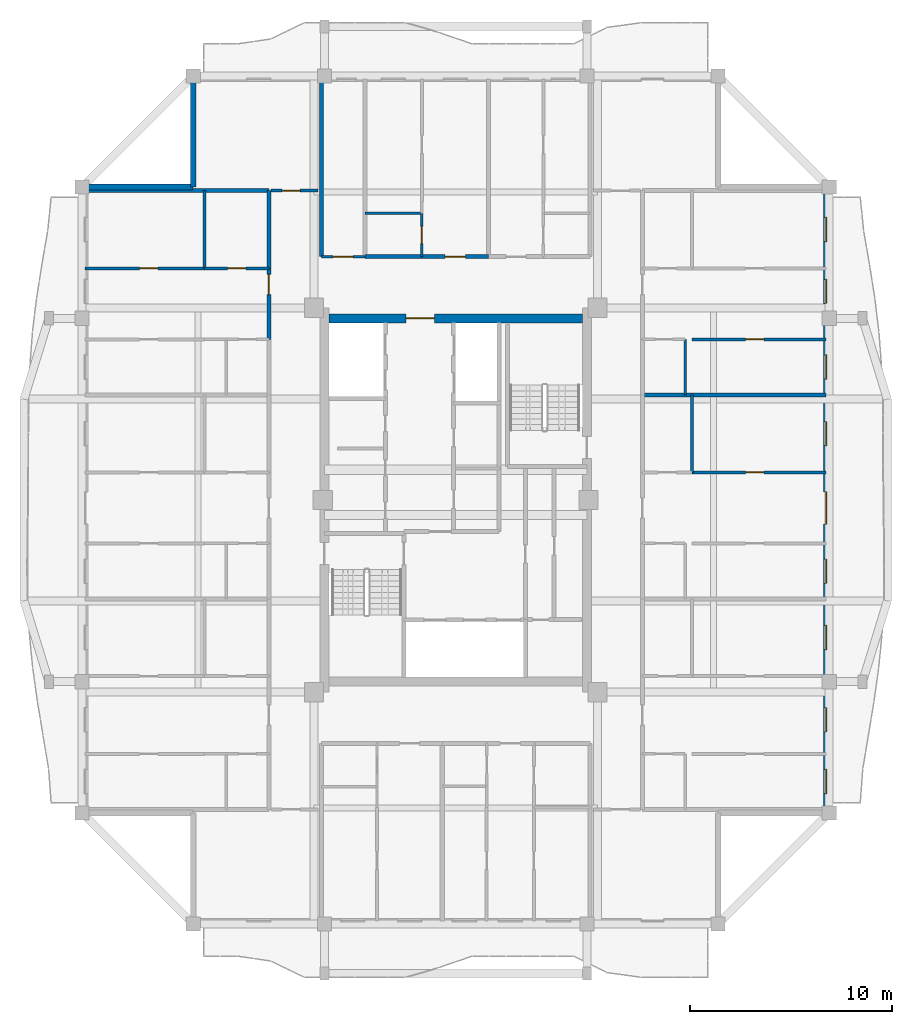
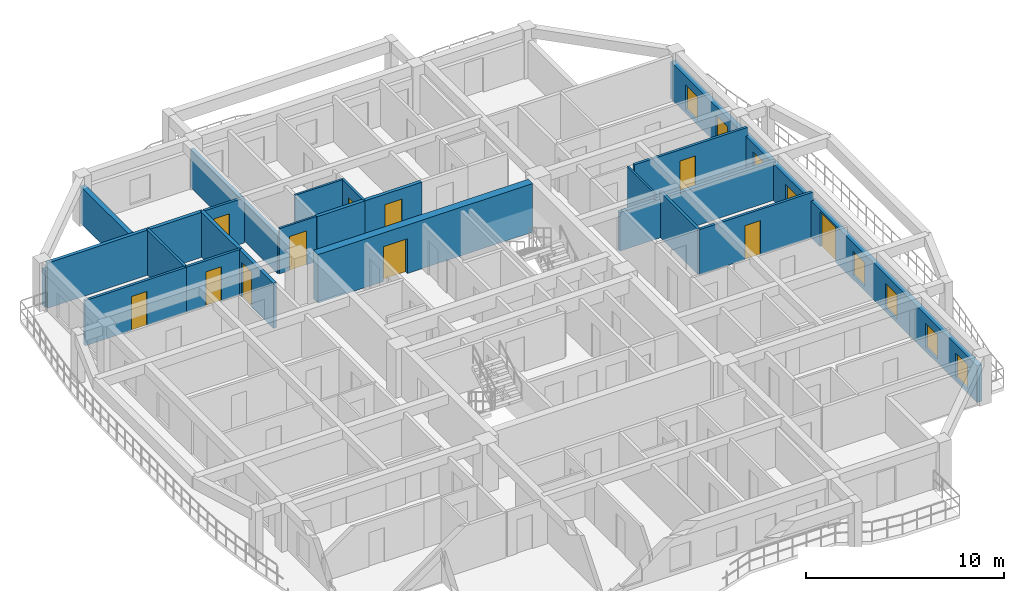
# One storey, part 6 of 14: 22 walls, 11 doors, 8 windows, 19 openings.
"""IFC4 building model written with IfcOpenShell, lengths in metres."""

from ifc_helpers import new_model, si_unit, direction, frame, frame_2d, origin, place, context, subcontext, project, spatial, rectangle, extrude, source, transform, mapped, material, layer, layer_set, type_object, element, fill, save


model = new_model("IFC4")

# Units and contexts
model_context = context("Model", 3, precision=1e-05, world=origin(), true_north=direction((0.0, 1.0)))
body_context = subcontext(model_context, "Body", "Model", "MODEL_VIEW")
ifc_project = project(units=[si_unit("LENGTHUNIT", "METRE"), si_unit("AREAUNIT", "SQUARE_METRE"), si_unit("VOLUMEUNIT", "CUBIC_METRE"), si_unit("PLANEANGLEUNIT", "RADIAN"), si_unit("MASSUNIT", "GRAM", prefix="KILO")], contexts=[model_context])

# Site, building, storey
site_placement = place(None, origin())
site = spatial("IfcSite", under=ifc_project, at=site_placement, CompositionType="ELEMENT")
building_placement = place(site_placement, origin())
building = spatial("IfcBuilding", under=site, at=building_placement, Name="Saelheon Loggia Tower", CompositionType="ELEMENT")
storey_placement = place(building_placement, frame((0.0, 0.0, 213.300048828125)))
storey = spatial("IfcBuildingStorey", under=building, at=storey_placement, Name="L66", CompositionType="ELEMENT", Elevation=213.300048828125)

# Wall, opening, door
ifc_material_1 = material(Name="Concrete C45/55", Category="concrete")
ifc_layer_1 = layer(ifc_material_1, 0.449951171875)
ifc_layer_set_1 = layer_set([ifc_layer_1], Name="Concrete C45/55")
wall_type_1 = type_object("IfcWallType", Name="Wall_CoreShear_450", PredefinedType="SHEAR", material=ifc_layer_set_1)
wall_1_placement = place(storey_placement, frame((31.72509765625, 36.0, 0.0), z_axis=(0.0, 0.0, 1.0), x_axis=(1.0, 0.0, 0.0)))
wall_1 = element("IfcWall", 1, at=wall_1_placement, inside=storey, type_object=wall_type_1, Name="L66 Core Shear Wall North", PredefinedType="SHEAR", context=body_context, shape_type="SweptSolid", body=[
    extrude(rectangle(XDim=12.5498046875, YDim=0.449951171875, at=frame_2d((6.27490234375, 0.0))), origin(), (0.0, 0.0, 1.0), 3.0),
])
opening_1_placement = place(wall_1_placement, frame((5.224853515625, 0.0, 0.0), z_axis=(0.0, 0.0, 1.0), x_axis=(-1.0, 0.0, 0.0)))
opening_1 = element("IfcOpeningElement", 2, at=opening_1_placement, cuts=wall_1, Name="Opening D-FD2L", PredefinedType="OPENING", context=body_context, shape_type="SweptSolid", body=[
    extrude(rectangle(XDim=1.39990234375, YDim=2.14990234375, at=frame_2d((0.699951171875, 1.074951171875))), frame((0.0, 0.237060546875, 0.0), z_axis=(0.0, -1.0, 0.0), x_axis=(1.0, 0.0, 0.0)), (0.0, 0.0, 1.0), 0.473876953125),
])
ifc_material_2 = material(Name="Galvanised Steel Glazed Lobby Fire Door", Category="steel")
door_type_1 = type_object("IfcDoorType", Name="Door_Fire_FD60_1400", OperationType="NOTDEFINED", PredefinedType="DOOR", material=ifc_material_2)
shared_shape_1 = source(origin(), body_context, "Body", "SweptSolid", [
    extrude(rectangle(XDim=1.39990234375, YDim=2.14990234375, at=frame_2d((0.699951171875, 1.074951171875))), frame((0.0, 0.02490234375, 0.0), z_axis=(0.0, -1.0, 0.0), x_axis=(1.0, 0.0, 0.0)), (0.0, 0.0, 1.0), 0.050048828125),
])
door_1_placement = place(opening_1_placement, origin())
door_1 = element("IfcDoor", 3, at=door_1_placement, inside=storey, type_object=door_type_1, Name="L66 Passenger Lift Lobby Main Door", OperationType="SINGLE_SWING_RIGHT", OverallHeight=2.14990234375, OverallWidth=1.39990234375, PredefinedType="DOOR", context=body_context, shape_type="MappedRepresentation", body=[
    mapped(shared_shape_1, transform((0.0, 0.0, 0.0), scale=1.0)),
])
fill(opening_1, door_1)

# Wall, openings, windows, door
ifc_material_3 = material(Name="Architectural Precast Concrete C40/50", Category="concrete")
ifc_layer_2 = layer(ifc_material_3, 0.280029296875)
ifc_layer_set_2 = layer_set([ifc_layer_2], Name="Architectural Precast Concrete C40/50")
wall_type_2 = type_object("IfcWallType", Name="Wall_Ext_Loggia_280", PredefinedType="SOLIDWALL", material=ifc_layer_set_2)
wall_2_placement = place(storey_placement, frame((56.360107421875, 11.5, 0.0), z_axis=(0.0, 0.0, 1.0), x_axis=(0.0, 1.0, 0.0)))
wall_2 = element("IfcWall", 4, at=wall_2_placement, inside=storey, type_object=wall_type_2, Name="L66 East Loggia Inner Wall", PredefinedType="SOLIDWALL", context=body_context, shape_type="SweptSolid", body=[
    extrude(rectangle(XDim=31.0, YDim=0.280029296875, at=frame_2d((15.5, 0.0))), origin(), (0.0, 0.0, 1.0), 2.280029296875),
])
opening_2_placement = place(wall_2_placement, frame((0.9599609375, 0.0, 0.25)))
opening_2 = element("IfcOpeningElement", 5, at=opening_2_placement, cuts=wall_2, Name="Opening WN-03", PredefinedType="OPENING", context=body_context, shape_type="SweptSolid", body=[
    extrude(rectangle(XDim=1.199951171875, YDim=1.5, at=frame_2d((0.60009765625, 0.75))), frame((0.0, 0.152099609375, 0.0), z_axis=(0.0, -1.0, 0.0), x_axis=(1.0, 0.0, 0.0)), (0.0, 0.0, 1.0), 0.303955078125),
])
opening_3_placement = place(wall_2_placement, frame((4.02001953125, 0.0, 0.25)))
opening_3 = element("IfcOpeningElement", 6, at=opening_3_placement, cuts=wall_2, Name="Opening WN-03", PredefinedType="OPENING", context=body_context, shape_type="SweptSolid", body=[
    extrude(rectangle(XDim=1.199951171875, YDim=1.5, at=frame_2d((0.60009765625, 0.75))), frame((0.0, 0.152099609375, 0.0), z_axis=(0.0, -1.0, 0.0), x_axis=(1.0, 0.0, 0.0)), (0.0, 0.0, 1.0), 0.303955078125),
])
opening_4_placement = place(wall_2_placement, frame((8.0888671875, 0.0, 0.25)))
opening_4 = element("IfcOpeningElement", 7, at=opening_4_placement, cuts=wall_2, Name="Opening WN-03", PredefinedType="OPENING", context=body_context, shape_type="SweptSolid", body=[
    extrude(rectangle(XDim=1.199951171875, YDim=1.5, at=frame_2d((0.60009765625, 0.75))), frame((0.0, 0.152099609375, 0.0), z_axis=(0.0, -1.0, 0.0), x_axis=(1.0, 0.0, 0.0)), (0.0, 0.0, 1.0), 0.303955078125),
])
opening_5_placement = place(wall_2_placement, frame((11.37255859375, 0.0, 0.25)))
opening_5 = element("IfcOpeningElement", 8, at=opening_5_placement, cuts=wall_2, Name="Opening WN-03", PredefinedType="OPENING", context=body_context, shape_type="SweptSolid", body=[
    extrude(rectangle(XDim=1.199951171875, YDim=1.5, at=frame_2d((0.60009765625, 0.75))), frame((0.0, 0.152099609375, 0.0), z_axis=(0.0, -1.0, 0.0), x_axis=(1.0, 0.0, 0.0)), (0.0, 0.0, 1.0), 0.303955078125),
])
opening_6_placement = place(wall_2_placement, frame((15.906982421875, 0.0, 0.0), z_axis=(0.0, 0.0, 1.0), x_axis=(-1.0, 0.0, 0.0)))
opening_6 = element("IfcOpeningElement", 9, at=opening_6_placement, cuts=wall_2, Name="Opening DLG-1", PredefinedType="OPENING", context=body_context, shape_type="SweptSolid", body=[
    extrude(rectangle(XDim=1.60009765625, YDim=2.14990234375, at=frame_2d((0.800048828125, 1.074951171875))), frame((0.0, 0.152099609375, 0.0), z_axis=(0.0, -1.0, 0.0), x_axis=(1.0, 0.0, 0.0)), (0.0, 0.0, 1.0), 0.303955078125),
])
opening_7_placement = place(wall_2_placement, frame((18.1875, 0.0, 0.25)))
opening_7 = element("IfcOpeningElement", 10, at=opening_7_placement, cuts=wall_2, Name="Opening WN-03", PredefinedType="OPENING", context=body_context, shape_type="SweptSolid", body=[
    extrude(rectangle(XDim=1.199951171875, YDim=1.5, at=frame_2d((0.60009765625, 0.75))), frame((0.0, 0.152099609375, 0.0), z_axis=(0.0, -1.0, 0.0), x_axis=(1.0, 0.0, 0.0)), (0.0, 0.0, 1.0), 0.303955078125),
])
opening_8_placement = place(wall_2_placement, frame((21.48388671875, 0.0, 0.25)))
opening_8 = element("IfcOpeningElement", 11, at=opening_8_placement, cuts=wall_2, Name="Opening WN-03", PredefinedType="OPENING", context=body_context, shape_type="SweptSolid", body=[
    extrude(rectangle(XDim=1.199951171875, YDim=1.5, at=frame_2d((0.60009765625, 0.75))), frame((0.0, 0.152099609375, 0.0), z_axis=(0.0, -1.0, 0.0), x_axis=(1.0, 0.0, 0.0)), (0.0, 0.0, 1.0), 0.303955078125),
])
opening_9_placement = place(wall_2_placement, frame((25.23388671875, 0.0, 0.25)))
opening_9 = element("IfcOpeningElement", 12, at=opening_9_placement, cuts=wall_2, Name="Opening WN-03", PredefinedType="OPENING", context=body_context, shape_type="SweptSolid", body=[
    extrude(rectangle(XDim=1.199951171875, YDim=1.5, at=frame_2d((0.60009765625, 0.75))), frame((0.0, 0.152099609375, 0.0), z_axis=(0.0, -1.0, 0.0), x_axis=(1.0, 0.0, 0.0)), (0.0, 0.0, 1.0), 0.303955078125),
])
opening_10_placement = place(wall_2_placement, frame((28.293701171875, 0.0, 0.25)))
opening_10 = element("IfcOpeningElement", 13, at=opening_10_placement, cuts=wall_2, Name="Opening WN-03", PredefinedType="OPENING", context=body_context, shape_type="SweptSolid", body=[
    extrude(rectangle(XDim=1.199951171875, YDim=1.5, at=frame_2d((0.60009765625, 0.75))), frame((0.0, 0.152099609375, 0.0), z_axis=(0.0, -1.0, 0.0), x_axis=(1.0, 0.0, 0.0)), (0.0, 0.0, 1.0), 0.303955078125),
])
ifc_material_4 = material(Name="Thermal-Break Aluminium and Triple Low-E Glass", Category="aluminium")
window_type = type_object("IfcWindowType", Name="Win_Bedroom_1200x1500", PartitioningType="SINGLE_PANEL", PredefinedType="WINDOW", material=ifc_material_4)
shared_shape_2 = source(origin(), body_context, "Body", "SweptSolid", [
    extrude(rectangle(XDim=1.199951171875, YDim=1.5, at=frame_2d((0.60009765625, 0.75))), frame((0.0, 0.030029296875, 0.0), z_axis=(0.0, -1.0, 0.0), x_axis=(1.0, 0.0, 0.0)), (0.0, 0.0, 1.0), 0.06005859375),
])
window_1_placement = place(opening_2_placement, origin())
window_1 = element("IfcWindow", 14, at=window_1_placement, inside=storey, type_object=window_type, Name="L66 E Dwelling Window 1", OverallHeight=1.5, OverallWidth=1.199951171875, PartitioningType="SINGLE_PANEL", PredefinedType="WINDOW", context=body_context, shape_type="MappedRepresentation", body=[
    mapped(shared_shape_2, transform((0.0, 0.0, 0.0), scale=1.0)),
])
fill(opening_2, window_1)
window_2_placement = place(opening_3_placement, origin())
window_2 = element("IfcWindow", 15, at=window_2_placement, inside=storey, type_object=window_type, Name="L66 E Dwelling Window 2", OverallHeight=1.5, OverallWidth=1.199951171875, PartitioningType="SINGLE_PANEL", PredefinedType="WINDOW", context=body_context, shape_type="MappedRepresentation", body=[
    mapped(shared_shape_2, transform((0.0, 0.0, 0.0), scale=1.0)),
])
fill(opening_3, window_2)
window_3_placement = place(opening_4_placement, origin())
window_3 = element("IfcWindow", 16, at=window_3_placement, inside=storey, type_object=window_type, Name="L66 E Dwelling Window 3", OverallHeight=1.5, OverallWidth=1.199951171875, PartitioningType="SINGLE_PANEL", PredefinedType="WINDOW", context=body_context, shape_type="MappedRepresentation", body=[
    mapped(shared_shape_2, transform((0.0, 0.0, 0.0), scale=1.0)),
])
fill(opening_4, window_3)
window_4_placement = place(opening_5_placement, origin())
window_4 = element("IfcWindow", 17, at=window_4_placement, inside=storey, type_object=window_type, Name="L66 E Dwelling Window 4", OverallHeight=1.5, OverallWidth=1.199951171875, PartitioningType="SINGLE_PANEL", PredefinedType="WINDOW", context=body_context, shape_type="MappedRepresentation", body=[
    mapped(shared_shape_2, transform((0.0, 0.0, 0.0), scale=1.0)),
])
fill(opening_5, window_4)
window_5_placement = place(opening_7_placement, origin())
window_5 = element("IfcWindow", 18, at=window_5_placement, inside=storey, type_object=window_type, Name="L66 E Dwelling Window 6", OverallHeight=1.5, OverallWidth=1.199951171875, PartitioningType="SINGLE_PANEL", PredefinedType="WINDOW", context=body_context, shape_type="MappedRepresentation", body=[
    mapped(shared_shape_2, transform((0.0, 0.0, 0.0), scale=1.0)),
])
fill(opening_7, window_5)
window_6_placement = place(opening_8_placement, origin())
window_6 = element("IfcWindow", 19, at=window_6_placement, inside=storey, type_object=window_type, Name="L66 E Dwelling Window 7", OverallHeight=1.5, OverallWidth=1.199951171875, PartitioningType="SINGLE_PANEL", PredefinedType="WINDOW", context=body_context, shape_type="MappedRepresentation", body=[
    mapped(shared_shape_2, transform((0.0, 0.0, 0.0), scale=1.0)),
])
fill(opening_8, window_6)
window_7_placement = place(opening_9_placement, origin())
window_7 = element("IfcWindow", 20, at=window_7_placement, inside=storey, type_object=window_type, Name="L66 E Dwelling Window 8", OverallHeight=1.5, OverallWidth=1.199951171875, PartitioningType="SINGLE_PANEL", PredefinedType="WINDOW", context=body_context, shape_type="MappedRepresentation", body=[
    mapped(shared_shape_2, transform((0.0, 0.0, 0.0), scale=1.0)),
])
fill(opening_9, window_7)
window_8_placement = place(opening_10_placement, origin())
window_8 = element("IfcWindow", 21, at=window_8_placement, inside=storey, type_object=window_type, Name="L66 E Dwelling Window 9", OverallHeight=1.5, OverallWidth=1.199951171875, PartitioningType="SINGLE_PANEL", PredefinedType="WINDOW", context=body_context, shape_type="MappedRepresentation", body=[
    mapped(shared_shape_2, transform((0.0, 0.0, 0.0), scale=1.0)),
])
fill(opening_10, window_8)
ifc_material_5 = material(Name="Thermal-Break Aluminium Sliding Glazed Door", Category="aluminium")
door_type_2 = type_object("IfcDoorType", Name="Door_LoggiaSlide_1600", OperationType="SLIDING_TO_LEFT", PredefinedType="DOOR", material=ifc_material_5)
shared_shape_3 = source(origin(), body_context, "Body", "SweptSolid", [
    extrude(rectangle(XDim=1.60009765625, YDim=2.14990234375, at=frame_2d((0.800048828125, 1.074951171875))), frame((0.0, 0.02490234375, 0.0), z_axis=(0.0, -1.0, 0.0), x_axis=(1.0, 0.0, 0.0)), (0.0, 0.0, 1.0), 0.050048828125),
])
door_2_placement = place(opening_6_placement, origin())
door_2 = element("IfcDoor", 22, at=door_2_placement, inside=storey, type_object=door_type_2, Name="L66 E Loggia Access Door", OperationType="SLIDING_TO_LEFT", OverallHeight=2.14990234375, OverallWidth=1.60009765625, PredefinedType="DOOR", context=body_context, shape_type="MappedRepresentation", body=[
    mapped(shared_shape_3, transform((0.0, 0.0, 0.0), scale=1.0)),
])
fill(opening_6, door_2)

# Walls
for number, where, z_axis, x_axis, name in (
    (23, (25.0, 42.5, 0.0), (0.0, 0.0, 1.0), (0.0, 1.0, 0.0), "L66 Corner Notch Precast Wall NW1"),
    (24, (19.580078125, 42.5, 0.0), (0.0, 0.0, 1.0), (1.0, 0.0, 0.0), "L66 Corner Notch Precast Wall NW2"),
):
    element("IfcWall", number, at=place(storey_placement, frame(where, z_axis=z_axis, x_axis=x_axis)), inside=storey, type_object=wall_type_2, Name=name, PredefinedType="SOLIDWALL", context=body_context, shape_type="SweptSolid", body=[
        extrude(rectangle(XDim=5.419921875, YDim=0.280029296875, at=frame_2d((2.7099609375, 0.0))), origin(), (0.0, 0.0, 1.0), 2.280029296875),
    ])

# Wall, opening, door
ifc_material_6 = material(Name="Lightweight Autoclaved Aerated Concrete Block and Acoustic Gypsum", Category="concrete")
ifc_layer_3 = layer(ifc_material_6, 0.14990234375)
ifc_layer_set_3 = layer_set([ifc_layer_3], Name="Lightweight Autoclaved Aerated Concrete Block and Acoustic Gypsum")
wall_type_3 = type_object("IfcWallType", Name="Wall_Part_150", PredefinedType="PARTITIONING", material=ifc_layer_set_3)
wall_3_placement = place(storey_placement, frame((28.85009765625, 42.320068359375, 0.0), z_axis=(0.0, 0.0, 1.0), x_axis=(1.0, 0.0, 0.0)))
wall_3 = element("IfcWall", 25, at=wall_3_placement, inside=storey, type_object=wall_type_3, Name="PW-L66-CNW-H", PredefinedType="PARTITIONING", context=body_context, shape_type="SweptSolid", body=[
    extrude(rectangle(XDim=2.329833984375, YDim=0.14990234375, at=frame_2d((1.1650390625, 0.0))), origin(), (0.0, 0.0, 1.0), 2.7900390625),
])
opening_11_placement = place(wall_3_placement, frame((0.550048828125, 0.0, 0.0)))
opening_11 = element("IfcOpeningElement", 26, at=opening_11_placement, cuts=wall_3, Name="Opening D-IN2", PredefinedType="OPENING", context=body_context, shape_type="SweptSolid", body=[
    extrude(rectangle(XDim=0.89990234375, YDim=2.10009765625, at=frame_2d((0.449951171875, 1.050048828125))), frame((0.0, 0.0869140625, 0.0), z_axis=(0.0, -1.0, 0.0), x_axis=(1.0, 0.0, 0.0)), (0.0, 0.0, 1.0), 0.173828125),
])
ifc_material_7 = material(Name="Engineered Oak Flush Door", Category="timber")
door_type_3 = type_object("IfcDoorType", Name="Door_Int_900", OperationType="NOTDEFINED", PredefinedType="DOOR", material=ifc_material_7)
shared_shape_4 = source(origin(), body_context, "Body", "SweptSolid", [
    extrude(rectangle(XDim=0.89990234375, YDim=2.10009765625, at=frame_2d((0.449951171875, 1.050048828125))), frame((0.0, 0.02490234375, 0.0), z_axis=(0.0, -1.0, 0.0), x_axis=(1.0, 0.0, 0.0)), (0.0, 0.0, 1.0), 0.050048828125),
])
door_3_placement = place(opening_11_placement, origin())
door_3 = element("IfcDoor", 27, at=door_3_placement, inside=storey, type_object=door_type_3, Name="L66 Corner Home Office NW Door", OperationType="SINGLE_SWING_RIGHT", OverallHeight=2.10009765625, OverallWidth=0.89990234375, PredefinedType="DOOR", context=body_context, shape_type="MappedRepresentation", body=[
    mapped(shared_shape_4, transform((0.0, 0.0, 0.0), scale=1.0)),
])
fill(opening_11, door_3)

# Wall
wall_4_placement = place(storey_placement, frame((25.570068359375, 38.477783203125, 0.0), z_axis=(0.0, 0.0, 1.0), x_axis=(0.0, 1.0, 0.0)))
element("IfcWall", 28, at=wall_4_placement, inside=storey, type_object=wall_type_3, Name="L66 W Partition V29", PredefinedType="PARTITIONING", context=body_context, shape_type="SweptSolid", body=[
    extrude(rectangle(XDim=3.84228515625, YDim=0.14990234375, at=frame_2d((1.921142578125, 0.0))), origin(), (0.0, 0.0, 1.0), 2.7900390625),
])

# Wall, opening, door
wall_5_placement = place(storey_placement, frame((28.75, 38.477783203125, 0.0), z_axis=(0.0, 0.0, 1.0), x_axis=(-1.0, 0.0, 0.0)))
wall_5 = element("IfcWall", 29, at=wall_5_placement, inside=storey, type_object=wall_type_3, Name="L66 W Partition U33", PredefinedType="PARTITIONING", context=body_context, shape_type="SweptSolid", body=[
    extrude(rectangle(XDim=3.179931640625, YDim=0.14990234375, at=frame_2d((1.58984375, 0.0))), origin(), (0.0, 0.0, 1.0), 2.7900390625),
])
opening_12_placement = place(wall_5_placement, frame((1.139892578125, 0.0, 0.0)))
opening_12 = element("IfcOpeningElement", 30, at=opening_12_placement, cuts=wall_5, Name="Opening D-IN2", PredefinedType="OPENING", context=body_context, shape_type="SweptSolid", body=[
    extrude(rectangle(XDim=0.89990234375, YDim=2.10009765625, at=frame_2d((0.449951171875, 1.050048828125))), frame((0.0, 0.0869140625, 0.0), z_axis=(0.0, -1.0, 0.0), x_axis=(1.0, 0.0, 0.0)), (0.0, 0.0, 1.0), 0.173828125),
])
door_4_placement = place(opening_12_placement, origin())
door_4 = element("IfcDoor", 31, at=door_4_placement, inside=storey, type_object=door_type_3, Name="Unit U07 Dressing Closet Door", OperationType="SINGLE_SWING_LEFT", OverallHeight=2.10009765625, OverallWidth=0.89990234375, PredefinedType="DOOR", context=body_context, shape_type="MappedRepresentation", body=[
    mapped(shared_shape_4, transform((0.0, 0.0, 0.0), scale=1.0)),
])
fill(opening_12, door_4)

wall_6_placement = place(storey_placement, frame((25.570068359375, 38.477783203125, 0.0), z_axis=(0.0, 0.0, 1.0), x_axis=(-1.0, 0.0, 0.0)))
wall_6 = element("IfcWall", 32, at=wall_6_placement, inside=storey, type_object=wall_type_3, Name="L66 W Partition U34", PredefinedType="PARTITIONING", context=body_context, shape_type="SweptSolid", body=[
    extrude(rectangle(XDim=5.920166015625, YDim=0.14990234375, at=frame_2d((2.9599609375, 0.0))), origin(), (0.0, 0.0, 1.0), 2.7900390625),
])
opening_13_placement = place(wall_6_placement, frame((2.32080078125, 0.0, 0.0)))
opening_13 = element("IfcOpeningElement", 33, at=opening_13_placement, cuts=wall_6, Name="Opening D-IN2", PredefinedType="OPENING", context=body_context, shape_type="SweptSolid", body=[
    extrude(rectangle(XDim=0.89990234375, YDim=2.10009765625, at=frame_2d((0.449951171875, 1.050048828125))), frame((0.0, 0.0869140625, 0.0), z_axis=(0.0, -1.0, 0.0), x_axis=(1.0, 0.0, 0.0)), (0.0, 0.0, 1.0), 0.173828125),
])
door_5_placement = place(opening_13_placement, origin())
door_5 = element("IfcDoor", 34, at=door_5_placement, inside=storey, type_object=door_type_3, Name="Unit U07 Bedroom 1 Door", OperationType="SINGLE_SWING_RIGHT", OverallHeight=2.10009765625, OverallWidth=0.89990234375, PredefinedType="DOOR", context=body_context, shape_type="MappedRepresentation", body=[
    mapped(shared_shape_4, transform((0.0, 0.0, 0.0), scale=1.0)),
])
fill(opening_13, door_5)

# Wall
wall_7_placement = place(storey_placement, frame((49.7099609375, 28.366455078125, 0.0), z_axis=(0.0, 0.0, 1.0), x_axis=(0.0, 1.0, 0.0)))
element("IfcWall", 35, at=wall_7_placement, inside=storey, type_object=wall_type_3, Name="L66 E Partition V17", PredefinedType="PARTITIONING", context=body_context, shape_type="SweptSolid", body=[
    extrude(rectangle(XDim=3.84228515625, YDim=0.14990234375, at=frame_2d((1.921142578125, 0.0))), origin(), (0.0, 0.0, 1.0), 2.7900390625),
])

# Wall, opening, door
wall_8_placement = place(storey_placement, frame((49.7099609375, 28.366455078125, 0.0), z_axis=(0.0, 0.0, 1.0), x_axis=(1.0, 0.0, 0.0)))
wall_8 = element("IfcWall", 36, at=wall_8_placement, inside=storey, type_object=wall_type_3, Name="L66 E Partition U21", PredefinedType="PARTITIONING", context=body_context, shape_type="SweptSolid", body=[
    extrude(rectangle(XDim=6.64013671875, YDim=0.14990234375, at=frame_2d((3.320068359375, 0.0))), origin(), (0.0, 0.0, 1.0), 2.7900390625),
])
opening_14_placement = place(wall_8_placement, frame((2.65087890625, 0.0, 0.0)))
opening_14 = element("IfcOpeningElement", 37, at=opening_14_placement, cuts=wall_8, Name="Opening D-IN2", PredefinedType="OPENING", context=body_context, shape_type="SweptSolid", body=[
    extrude(rectangle(XDim=0.89990234375, YDim=2.10009765625, at=frame_2d((0.449951171875, 1.050048828125))), frame((0.0, 0.0869140625, 0.0), z_axis=(0.0, -1.0, 0.0), x_axis=(1.0, 0.0, 0.0)), (0.0, 0.0, 1.0), 0.173828125),
])
door_6_placement = place(opening_14_placement, origin())
door_6 = element("IfcDoor", 38, at=door_6_placement, inside=storey, type_object=door_type_3, Name="Unit U09 Bedroom 1 Door", OperationType="SINGLE_SWING_RIGHT", OverallHeight=2.10009765625, OverallWidth=0.89990234375, PredefinedType="DOOR", context=body_context, shape_type="MappedRepresentation", body=[
    mapped(shared_shape_4, transform((0.0, 0.0, 0.0), scale=1.0)),
])
fill(opening_14, door_6)

wall_9_placement = place(storey_placement, frame((49.7099609375, 34.958740234375, 0.0), z_axis=(0.0, 0.0, 1.0), x_axis=(1.0, 0.0, 0.0)))
wall_9 = element("IfcWall", 39, at=wall_9_placement, inside=storey, type_object=wall_type_3, Name="L66 E Partition U29", PredefinedType="PARTITIONING", context=body_context, shape_type="SweptSolid", body=[
    extrude(rectangle(XDim=6.64013671875, YDim=0.14990234375, at=frame_2d((3.320068359375, 0.0))), origin(), (0.0, 0.0, 1.0), 2.7900390625),
])
opening_15_placement = place(wall_9_placement, frame((2.65087890625, 0.0, 0.0)))
opening_15 = element("IfcOpeningElement", 40, at=opening_15_placement, cuts=wall_9, Name="Opening D-IN2", PredefinedType="OPENING", context=body_context, shape_type="SweptSolid", body=[
    extrude(rectangle(XDim=0.89990234375, YDim=2.10009765625, at=frame_2d((0.449951171875, 1.050048828125))), frame((0.0, 0.0869140625, 0.0), z_axis=(0.0, -1.0, 0.0), x_axis=(1.0, 0.0, 0.0)), (0.0, 0.0, 1.0), 0.173828125),
])
door_7_placement = place(opening_15_placement, origin())
door_7 = element("IfcDoor", 41, at=door_7_placement, inside=storey, type_object=door_type_3, Name="Unit U10 Kitchen Door", OperationType="SINGLE_SWING_LEFT", OverallHeight=2.10009765625, OverallWidth=0.89990234375, PredefinedType="DOOR", context=body_context, shape_type="MappedRepresentation", body=[
    mapped(shared_shape_4, transform((0.0, 0.0, 0.0), scale=1.0)),
])
fill(opening_15, door_7)

# Walls
ifc_material_8 = material(Name="Double Acoustic Stud and Fireboard Partition", Category="gypsum")
ifc_layer_4 = layer(ifc_material_8, 0.199951171875)
ifc_layer_set_4 = layer_set([ifc_layer_4], Name="Double Acoustic Stud and Fireboard Partition")
wall_type_4 = type_object("IfcWallType", Name="Wall_Party_200", PredefinedType="PARTITIONING", material=ifc_layer_set_4)
wall_10_placement = place(storey_placement, frame((31.35009765625, 39.050048828125, 0.0), z_axis=(0.0, 0.0, 1.0), x_axis=(0.0, 1.0, 0.0)))
element("IfcWall", 42, at=wall_10_placement, inside=storey, type_object=wall_type_4, Name="L66 N Partition U01", PredefinedType="PARTITIONING", context=body_context, shape_type="SweptSolid", body=[
    extrude(rectangle(XDim=8.800048828125, YDim=0.199951171875, at=frame_2d((4.39990234375, 0.0))), origin(), (0.0, 0.0, 1.0), 2.389892578125),
])
wall_11_placement = place(storey_placement, frame((33.5, 39.050048828125, 0.0), z_axis=(0.0, 0.0, 1.0), x_axis=(1.0, 0.0, 0.0)))
element("IfcWall", 43, at=wall_11_placement, inside=storey, type_object=wall_type_4, Name="L66 N Partition V05", PredefinedType="PARTITIONING", context=body_context, shape_type="SweptSolid", body=[
    extrude(rectangle(XDim=2.821044921875, YDim=0.199951171875, at=frame_2d((1.41064453125, 0.0))), origin(), (0.0, 0.0, 1.0), 2.7900390625),
])

# Wall, opening, door
wall_12_placement = place(storey_placement, frame((36.321044921875, 39.050048828125, 0.0), z_axis=(0.0, 0.0, 1.0), x_axis=(1.0, 0.0, 0.0)))
wall_12 = element("IfcWall", 44, at=wall_12_placement, inside=storey, type_object=wall_type_4, Name="L66 N Partition V06", PredefinedType="PARTITIONING", context=body_context, shape_type="SweptSolid", body=[
    extrude(rectangle(XDim=3.3115234375, YDim=0.199951171875, at=frame_2d((1.65576171875, 0.0))), origin(), (0.0, 0.0, 1.0), 2.7900390625),
])
opening_16_placement = place(wall_12_placement, frame((1.15576171875, 0.0, 0.0)))
opening_16 = element("IfcOpeningElement", 45, at=opening_16_placement, cuts=wall_12, Name="Opening D-FD1", PredefinedType="OPENING", context=body_context, shape_type="SweptSolid", body=[
    extrude(rectangle(XDim=1.0, YDim=2.14990234375, at=frame_2d((0.5, 1.074951171875))), frame((0.0, 0.112060546875, 0.0), z_axis=(0.0, -1.0, 0.0), x_axis=(1.0, 0.0, 0.0)), (0.0, 0.0, 1.0), 0.223876953125),
])
ifc_material_9 = material(Name="Fire-Rated Engineered Timber Entrance Door", Category="wood")
door_type_4 = type_object("IfcDoorType", Name="Door_Flat_FD30S", OperationType="NOTDEFINED", PredefinedType="DOOR", material=ifc_material_9)
shared_shape_5 = source(origin(), body_context, "Body", "SweptSolid", [
    extrude(rectangle(XDim=1.0, YDim=2.14990234375, at=frame_2d((0.5, 1.074951171875))), frame((0.0, 0.02490234375, 0.0), z_axis=(0.0, -1.0, 0.0), x_axis=(1.0, 0.0, 0.0)), (0.0, 0.0, 1.0), 0.050048828125),
])
door_8_placement = place(opening_16_placement, origin())
door_8 = element("IfcDoor", 46, at=door_8_placement, inside=storey, type_object=door_type_4, Name="Unit U03 Entrance Door", OperationType="SINGLE_SWING_RIGHT", OverallHeight=2.14990234375, OverallWidth=1.0, PredefinedType="DOOR", context=body_context, shape_type="MappedRepresentation", body=[
    mapped(shared_shape_5, transform((0.0, 0.0, 0.0), scale=1.0)),
])
fill(opening_16, door_8)

# Wall
wall_13_placement = place(storey_placement, frame((28.75, 42.320068359375, 0.0), z_axis=(0.0, 0.0, 1.0), x_axis=(-1.0, 0.0, 0.0)))
element("IfcWall", 47, at=wall_13_placement, inside=storey, type_object=wall_type_4, Name="L66 W Partition U02", PredefinedType="PARTITIONING", context=body_context, shape_type="SweptSolid", body=[
    extrude(rectangle(XDim=9.10009765625, YDim=0.199951171875, at=frame_2d((4.550048828125, 0.0))), origin(), (0.0, 0.0, 1.0), 2.7900390625),
])

# Wall, opening, door
wall_14_placement = place(storey_placement, frame((28.75, 34.958740234375, 0.0), z_axis=(0.0, 0.0, 1.0), x_axis=(0.0, 1.0, 0.0)))
wall_14 = element("IfcWall", 48, at=wall_14_placement, inside=storey, type_object=wall_type_4, Name="L66 W Partition V26", PredefinedType="PARTITIONING", context=body_context, shape_type="SweptSolid", body=[
    extrude(rectangle(XDim=3.51904296875, YDim=0.199951171875, at=frame_2d((1.759521484375, 0.0))), origin(), (0.0, 0.0, 1.0), 2.7900390625),
])
opening_17_placement = place(wall_14_placement, frame((2.21728515625, 0.0, 0.0)))
opening_17 = element("IfcOpeningElement", 49, at=opening_17_placement, cuts=wall_14, Name="Opening D-FD1", PredefinedType="OPENING", context=body_context, shape_type="SweptSolid", body=[
    extrude(rectangle(XDim=1.0, YDim=2.14990234375, at=frame_2d((0.5, 1.074951171875))), frame((0.0, 0.112060546875, 0.0), z_axis=(0.0, -1.0, 0.0), x_axis=(1.0, 0.0, 0.0)), (0.0, 0.0, 1.0), 0.223876953125),
])
door_9_placement = place(opening_17_placement, origin())
door_9 = element("IfcDoor", 50, at=door_9_placement, inside=storey, type_object=door_type_4, Name="Unit U07 Entrance Door", OperationType="SINGLE_SWING_RIGHT", OverallHeight=2.14990234375, OverallWidth=1.0, PredefinedType="DOOR", context=body_context, shape_type="MappedRepresentation", body=[
    mapped(shared_shape_5, transform((0.0, 0.0, 0.0), scale=1.0)),
])
fill(opening_17, door_9)

# Walls
wall_15_placement = place(storey_placement, frame((28.75, 38.477783203125, 0.0), z_axis=(0.0, 0.0, 1.0), x_axis=(0.0, 1.0, 0.0)))
element("IfcWall", 51, at=wall_15_placement, inside=storey, type_object=wall_type_4, Name="L66 W Partition V27", PredefinedType="PARTITIONING", context=body_context, shape_type="SweptSolid", body=[
    extrude(rectangle(XDim=3.84228515625, YDim=0.199951171875, at=frame_2d((1.921142578125, 0.0))), origin(), (0.0, 0.0, 1.0), 2.7900390625),
])
wall_16_placement = place(storey_placement, frame((47.25, 32.208740234375, 0.0), z_axis=(0.0, 0.0, 1.0), x_axis=(1.0, 0.0, 0.0)))
element("IfcWall", 52, at=wall_16_placement, inside=storey, type_object=wall_type_4, Name="L66 E Partition U22", PredefinedType="PARTITIONING", context=body_context, shape_type="SweptSolid", body=[
    extrude(rectangle(XDim=9.10009765625, YDim=0.199951171875, at=frame_2d((4.550048828125, 0.0))), origin(), (0.0, 0.0, 1.0), 2.389892578125),
])

# Wall, opening, door
ifc_material_10 = material(Name="Moisture-Resistant Cement Board Partition", Category="gypsum")
ifc_layer_5 = layer(ifc_material_10, 0.1201171875)
ifc_layer_set_5 = layer_set([ifc_layer_5], Name="Moisture-Resistant Cement Board Partition")
wall_type_5 = type_object("IfcWallType", Name="Wall_WetPart_120", PredefinedType="PARTITIONING", material=ifc_layer_set_5)
wall_17_placement = place(storey_placement, frame((31.35009765625, 39.050048828125, 0.0), z_axis=(0.0, 0.0, 1.0), x_axis=(1.0, 0.0, 0.0)))
wall_17 = element("IfcWall", 53, at=wall_17_placement, inside=storey, type_object=wall_type_5, Name="L66 N Partition V04", PredefinedType="PARTITIONING", context=body_context, shape_type="SweptSolid", body=[
    extrude(rectangle(XDim=2.14990234375, YDim=0.1201171875, at=frame_2d((1.074951171875, 0.0))), origin(), (0.0, 0.0, 1.0), 2.7900390625),
])
opening_18_placement = place(wall_17_placement, frame((0.574951171875, 0.0, 0.0)))
opening_18 = element("IfcOpeningElement", 54, at=opening_18_placement, cuts=wall_17, Name="Opening D-AC1", PredefinedType="OPENING", context=body_context, shape_type="SweptSolid", body=[
    extrude(rectangle(XDim=1.0, YDim=2.10009765625, at=frame_2d((0.5, 1.050048828125))), frame((0.0, 0.072021484375, 0.0), z_axis=(0.0, -1.0, 0.0), x_axis=(1.0, 0.0, 0.0)), (0.0, 0.0, 1.0), 0.14404296875),
])
ifc_material_11 = material(Name="Accessible Laminate Flush Door", Category="timber")
door_type_5 = type_object("IfcDoorType", Name="Door_Acc_1000", OperationType="NOTDEFINED", PredefinedType="DOOR", material=ifc_material_11)
shared_shape_6 = source(origin(), body_context, "Body", "SweptSolid", [
    extrude(rectangle(XDim=1.0, YDim=2.10009765625, at=frame_2d((0.5, 1.050048828125))), frame((0.0, 0.02490234375, 0.0), z_axis=(0.0, -1.0, 0.0), x_axis=(1.0, 0.0, 0.0)), (0.0, 0.0, 1.0), 0.050048828125),
])
door_10_placement = place(opening_18_placement, origin())
door_10 = element("IfcDoor", 55, at=door_10_placement, inside=storey, type_object=door_type_5, Name="L66 Floor Accessible WC Door", OperationType="SINGLE_SWING_LEFT", OverallHeight=2.10009765625, OverallWidth=1.0, PredefinedType="DOOR", context=body_context, shape_type="MappedRepresentation", body=[
    mapped(shared_shape_6, transform((0.0, 0.0, 0.0), scale=1.0)),
])
fill(opening_18, door_10)

wall_18_placement = place(storey_placement, frame((36.321044921875, 39.050048828125, 0.0), z_axis=(0.0, 0.0, 1.0), x_axis=(0.0, 1.0, 0.0)))
wall_18 = element("IfcWall", 56, at=wall_18_placement, inside=storey, type_object=wall_type_5, Name="L66 N Partition U07", PredefinedType="PARTITIONING", context=body_context, shape_type="SweptSolid", body=[
    extrude(rectangle(XDim=2.14990234375, YDim=0.1201171875, at=frame_2d((1.074951171875, 0.0))), origin(), (0.0, 0.0, 1.0), 2.7900390625),
])
opening_19_placement = place(wall_18_placement, frame((0.64990234375, 0.0, 0.0)))
opening_19 = element("IfcOpeningElement", 57, at=opening_19_placement, cuts=wall_18, Name="Opening D-BT1", PredefinedType="OPENING", context=body_context, shape_type="SweptSolid", body=[
    extrude(rectangle(XDim=0.85009765625, YDim=2.050048828125, at=frame_2d((0.425048828125, 1.02490234375))), frame((0.0, 0.072021484375, 0.0), z_axis=(0.0, -1.0, 0.0), x_axis=(1.0, 0.0, 0.0)), (0.0, 0.0, 1.0), 0.14404296875),
])
ifc_material_12 = material(Name="Moisture-Resistant Laminate Timber Door", Category="wood")
door_type_6 = type_object("IfcDoorType", Name="Door_Bath_850", OperationType="NOTDEFINED", PredefinedType="DOOR", material=ifc_material_12)
shared_shape_7 = source(origin(), body_context, "Body", "SweptSolid", [
    extrude(rectangle(XDim=0.85009765625, YDim=2.050048828125, at=frame_2d((0.425048828125, 1.02490234375))), frame((0.0, 0.02490234375, 0.0), z_axis=(0.0, -1.0, 0.0), x_axis=(1.0, 0.0, 0.0)), (0.0, 0.0, 1.0), 0.050048828125),
])
door_11_placement = place(opening_19_placement, origin())
door_11 = element("IfcDoor", 58, at=door_11_placement, inside=storey, type_object=door_type_6, Name="Unit U03 Bathroom Door", OperationType="SINGLE_SWING_LEFT", OverallHeight=2.050048828125, OverallWidth=0.85009765625, PredefinedType="DOOR", context=body_context, shape_type="MappedRepresentation", body=[
    mapped(shared_shape_7, transform((0.0, 0.0, 0.0), scale=1.0)),
])
fill(opening_19, door_11)

# Walls
wall_19_placement = place(storey_placement, frame((33.5, 41.199951171875, 0.0), z_axis=(0.0, 0.0, 1.0), x_axis=(1.0, 0.0, 0.0)))
element("IfcWall", 59, at=wall_19_placement, inside=storey, type_object=wall_type_5, Name="L66 N Partition V09", PredefinedType="PARTITIONING", context=body_context, shape_type="SweptSolid", body=[
    extrude(rectangle(XDim=2.821044921875, YDim=0.1201171875, at=frame_2d((1.41064453125, 0.0))), origin(), (0.0, 0.0, 1.0), 2.7900390625),
])
wall_20_placement = place(storey_placement, frame((49.3701171875, 32.208740234375, 0.0), z_axis=(0.0, 0.0, 1.0), x_axis=(0.0, 1.0, 0.0)))
element("IfcWall", 60, at=wall_20_placement, inside=storey, type_object=wall_type_5, Name="L66 E Partition V26", PredefinedType="PARTITIONING", context=body_context, shape_type="SweptSolid", body=[
    extrude(rectangle(XDim=2.75, YDim=0.1201171875, at=frame_2d((1.375, 0.0))), origin(), (0.0, 0.0, 1.0), 2.7900390625),
])

save(model, "model.ifc")
